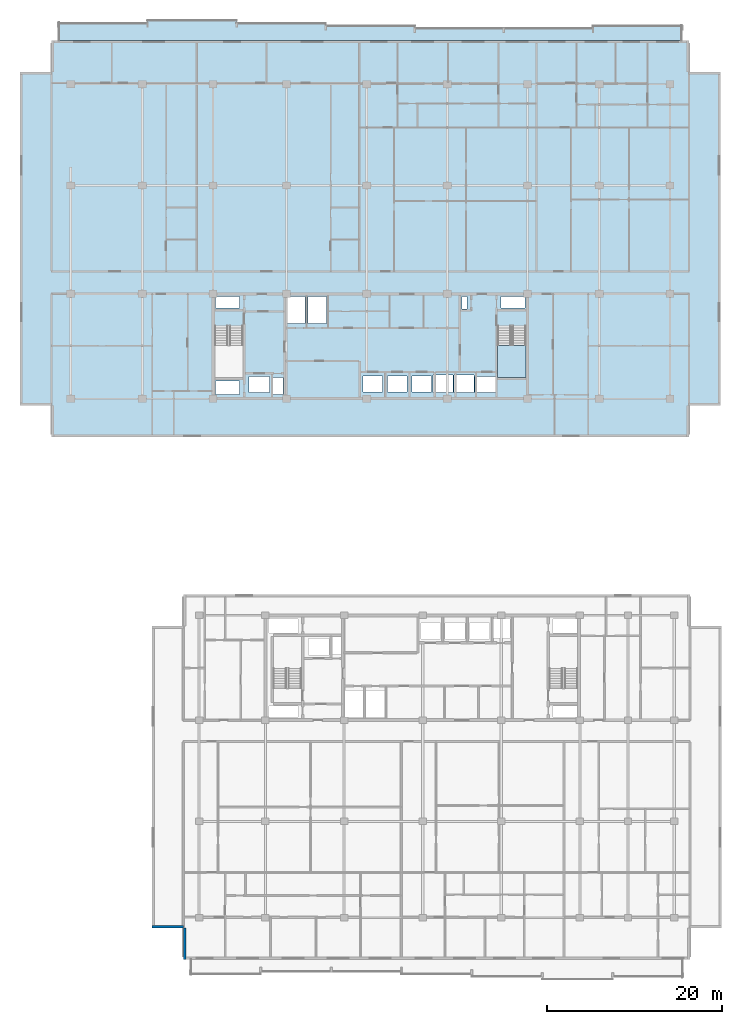
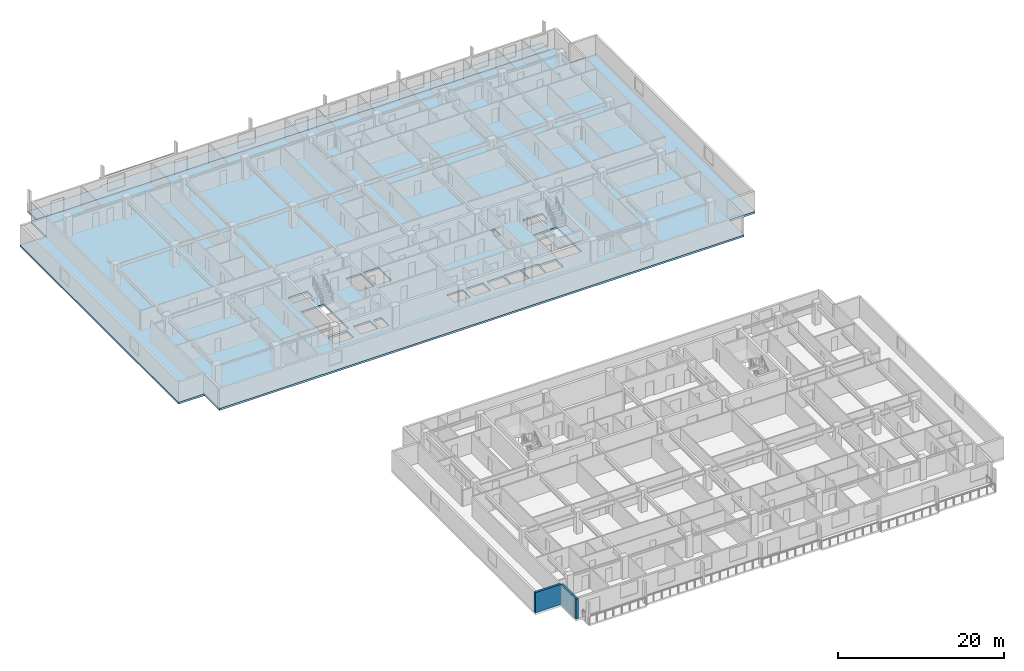
# One storey, part 3 of 22: 3 slabs, 2 walls, 1 element without a shape of its own.
"""IFC4 building model written with IfcOpenShell, lengths in metres."""

from ifc_helpers import new_model, si_unit, direction, frame, frame_2d, origin, place, context, subcontext, project, spatial, polyline, rectangle, outline, extrude, material, layer, layer_set, type_object, element, aggregate, save


model = new_model("IFC4")

# Units and contexts
model_context = context("Model", 3, precision=1e-05, world=origin(), true_north=direction((0.0, 1.0)))
body_context = subcontext(model_context, "Body", "Model", "MODEL_VIEW")
ifc_project = project(units=[si_unit("LENGTHUNIT", "METRE"), si_unit("AREAUNIT", "SQUARE_METRE"), si_unit("VOLUMEUNIT", "CUBIC_METRE"), si_unit("PLANEANGLEUNIT", "RADIAN"), si_unit("MASSUNIT", "GRAM", prefix="KILO")], contexts=[model_context])

# Site, building, storey
site_placement = place(None, origin())
site = spatial("IfcSite", under=ifc_project, at=site_placement, CompositionType="ELEMENT")
building_placement = place(site_placement, origin())
building = spatial("IfcBuilding", under=site, at=building_placement, Name="Korimba Cascade Residences", CompositionType="ELEMENT")
storey_placement = place(building_placement, frame((0.0, 0.0, 132.800048828125)))
storey = spatial("IfcBuildingStorey", under=building, at=storey_placement, Name="L38", CompositionType="ELEMENT", Elevation=132.800048828125)

# Stair, slab
ifc_material_1 = material(Name="Concrete C50/60", Category="concrete")
stair_type = type_object("IfcStairType", Name="STR-W2-18R-1806", PredefinedType="HALF_TURN_STAIR", material=ifc_material_1)
stair_placement = place(storey_placement, origin())
stair = element("IfcStair", 1, at=stair_placement, inside=storey, type_object=stair_type, Name="L38 Tower 1 East Fire Stair ST-W2", PredefinedType="HALF_TURN_STAIR")
ifc_layer_1 = layer(ifc_material_1, 0.199951171875)
ifc_layer_set_1 = layer_set([ifc_layer_1], Name="Concrete C50/60")
slab_type_1 = type_object("IfcSlabType", Name="SLB-LND-220", PredefinedType="LANDING", material=ifc_layer_set_1)
slab_1_placement = place(storey_placement, frame((0.0, 0.0, 1.425048828125)))
slab_1 = element("IfcSlab", 2, at=slab_1_placement, type_object=slab_type_1, Name="ST-W2 landing 1", PredefinedType="LANDING", context=body_context, shape_type="SweptSolid", body=[
    extrude(outline(polyline([(108.659912109375, 61.31005859375), (108.659912109375, 57.60009765625), (111.89990234375, 57.60009765625), (111.89990234375, 61.31005859375), (108.659912109375, 61.31005859375)])), origin(), (0.0, 0.0, 1.0), 0.199951171875),
])
aggregate(stair, [slab_1])

# Slabs
ifc_material_2 = material(Name="Precast concrete C40/50", Category="concrete")
ifc_layer_2 = layer(ifc_material_2, 0.239990234375)
ifc_layer_set_2 = layer_set([ifc_layer_2], Name="Precast concrete C40/50")
slab_type_2 = type_object("IfcSlabType", Name="SLB-LOG-240", PredefinedType="FLOOR", material=ifc_layer_set_2)
slab_2_placement = place(storey_placement, frame((0.0, 0.0, -0.239990234375)))
element("IfcSlab", 3, at=slab_2_placement, inside=storey, type_object=slab_type_2, Name="L38 Tower 1 North Loggia Slab", PredefinedType="FLOOR", context=body_context, shape_type="SweptSolid", body=[
    extrude(outline(polyline([(58.39990234375, 96.199951171875), (129.800048828125, 96.199951171875), (129.800048828125, 97.949951171875), (119.60009765625, 97.949951171875), (119.60009765625, 97.64990234375), (99.199951171875, 97.64990234375), (99.199951171875, 97.949951171875), (89.0, 97.949951171875), (89.0, 98.25), (78.800048828125, 98.25), (78.800048828125, 98.550048828125), (68.60009765625, 98.550048828125), (68.60009765625, 98.25), (58.39990234375, 98.25), (58.39990234375, 96.199951171875)])), origin(), (0.0, 0.0, 1.0), 0.239990234375),
])
ifc_layer_3 = layer(ifc_material_1, 0.280029296875)
ifc_layer_set_3 = layer_set([ifc_layer_3], Name="Concrete C50/60")
slab_type_3 = type_object("IfcSlabType", Name="SLB-TYP-280", PredefinedType="FLOOR", material=ifc_layer_set_3)
slab_3_placement = place(storey_placement, frame((0.0, 0.0, -0.280029296875)))
element("IfcSlab", 4, at=slab_3_placement, inside=storey, type_object=slab_type_3, Name="L38 Tower 1 Floor Slab", PredefinedType="FLOOR", context=body_context, shape_type="SweptSolid", body=[
    extrude(outline(polyline([(57.60009765625, 50.800048828125), (130.60009765625, 50.800048828125), (130.60009765625, 54.39990234375), (134.199951171875, 54.39990234375), (134.199951171875, 92.60009765625), (130.60009765625, 92.60009765625), (130.60009765625, 96.199951171875), (57.60009765625, 96.199951171875), (57.60009765625, 92.60009765625), (54.0, 92.60009765625), (54.0, 54.39990234375), (57.60009765625, 54.39990234375), (57.60009765625, 50.800048828125)]), holes=[polyline([(76.300048828125, 63.514892578125), (76.300048828125, 57.60009765625), (79.5400390625, 57.60009765625), (79.5400390625, 63.514892578125), (76.300048828125, 63.514892578125)]), polyline([(108.659912109375, 63.514892578125), (108.659912109375, 57.60009765625), (111.89990234375, 57.60009765625), (111.89990234375, 63.514892578125), (108.659912109375, 63.514892578125)]), polyline([(80.22998046875, 55.8798828125), (82.570068359375, 55.8798828125), (82.570068359375, 57.719970703125), (80.22998046875, 57.719970703125), (80.22998046875, 55.8798828125)]), polyline([(106.080078125, 55.8798828125), (108.419921875, 55.8798828125), (108.419921875, 57.719970703125), (106.080078125, 57.719970703125), (106.080078125, 55.8798828125)]), polyline([(93.280029296875, 55.97998046875), (95.52001953125, 55.97998046875), (95.52001953125, 57.820068359375), (93.280029296875, 57.820068359375), (93.280029296875, 55.97998046875)]), polyline([(96.080078125, 55.97998046875), (98.320068359375, 55.97998046875), (98.320068359375, 57.820068359375), (96.080078125, 57.820068359375), (96.080078125, 55.97998046875)]), polyline([(98.8798828125, 55.97998046875), (101.1201171875, 55.97998046875), (101.1201171875, 57.820068359375), (98.8798828125, 57.820068359375), (98.8798828125, 55.97998046875)]), polyline([(101.304931640625, 55.8798828125), (103.594970703125, 55.8798828125), (103.594970703125, 57.919921875), (101.304931640625, 57.919921875), (101.304931640625, 55.8798828125)]), polyline([(103.705078125, 55.8798828125), (105.9951171875, 55.8798828125), (105.9951171875, 57.919921875), (103.705078125, 57.919921875), (103.705078125, 55.8798828125)]), polyline([(82.97998046875, 55.679931640625), (84.080078125, 55.679931640625), (84.080078125, 57.6201171875), (82.97998046875, 57.6201171875), (82.97998046875, 55.679931640625)]), polyline([(76.39990234375, 65.56005859375), (79.10009765625, 65.56005859375), (79.10009765625, 66.8798828125), (76.39990234375, 66.8798828125), (76.39990234375, 65.56005859375)]), polyline([(76.39990234375, 55.679931640625), (79.10009765625, 55.679931640625), (79.10009765625, 57.239990234375), (76.39990234375, 57.239990234375), (76.39990234375, 55.679931640625)]), polyline([(84.530029296875, 63.820068359375), (86.6201171875, 63.820068359375), (86.6201171875, 66.8798828125), (84.530029296875, 66.8798828125), (84.530029296875, 63.820068359375)]), polyline([(86.97998046875, 63.820068359375), (89.070068359375, 63.820068359375), (89.070068359375, 66.8798828125), (86.97998046875, 66.8798828125), (86.97998046875, 63.820068359375)]), polyline([(104.6201171875, 65.4599609375), (105.179931640625, 65.4599609375), (105.179931640625, 66.8798828125), (104.6201171875, 66.8798828125), (104.6201171875, 65.4599609375)]), polyline([(109.080078125, 65.56005859375), (111.800048828125, 65.56005859375), (111.800048828125, 66.8798828125), (109.080078125, 66.8798828125), (109.080078125, 65.56005859375)])]), origin(), (0.0, 0.0, 1.0), 0.280029296875),
])

# Walls
ifc_layer_4 = layer(ifc_material_2, 0.300048828125)
ifc_layer_set_4 = layer_set([ifc_layer_4], Name="Precast concrete C40/50")
wall_type = type_object("IfcWallType", Name="EW-STONE-300", PredefinedType="STANDARD", material=ifc_layer_set_4)
wall_1_placement = place(storey_placement, frame((69.10009765625, -5.25, 0.0), z_axis=(0.0, 0.0, 1.0), x_axis=(1.0, 0.0, 0.0)))
element("IfcWall", 5, at=wall_1_placement, inside=storey, type_object=wall_type, Name="L38 T2 Perimeter Stone Wall E10", PredefinedType="STANDARD", context=body_context, shape_type="SweptSolid", body=[
    extrude(rectangle(XDim=3.599853515625, YDim=0.300048828125, at=frame_2d((1.7998046875, 0.0))), origin(), (0.0, 0.0, 1.0), 2.969970703125),
])
wall_2_placement = place(storey_placement, frame((72.85009765625, -5.39990234375, 0.0), z_axis=(0.0, 0.0, 1.0), x_axis=(0.0, -1.0, 0.0)))
element("IfcWall", 6, at=wall_2_placement, inside=storey, type_object=wall_type, Name="L38 T2 Perimeter Stone Wall E11", PredefinedType="STANDARD", context=body_context, shape_type="SweptSolid", body=[
    extrude(rectangle(XDim=3.60009765625, YDim=0.300048828125, at=frame_2d((1.800048828125, 0.0))), origin(), (0.0, 0.0, 1.0), 2.969970703125),
])

save(model, "model.ifc")
